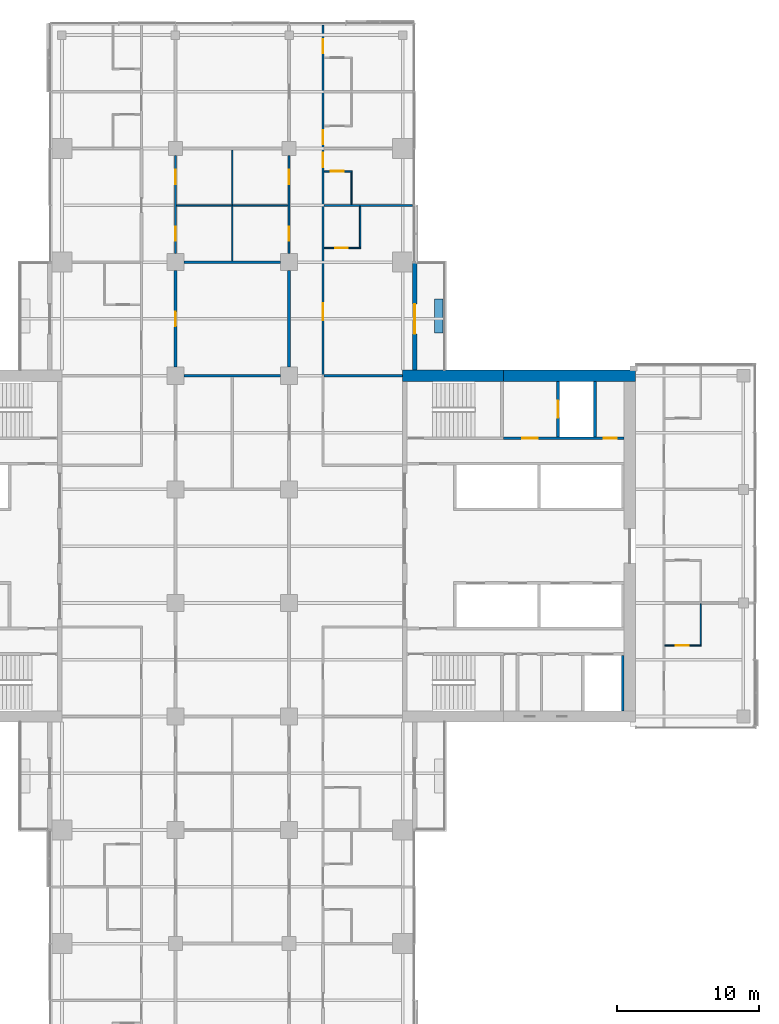
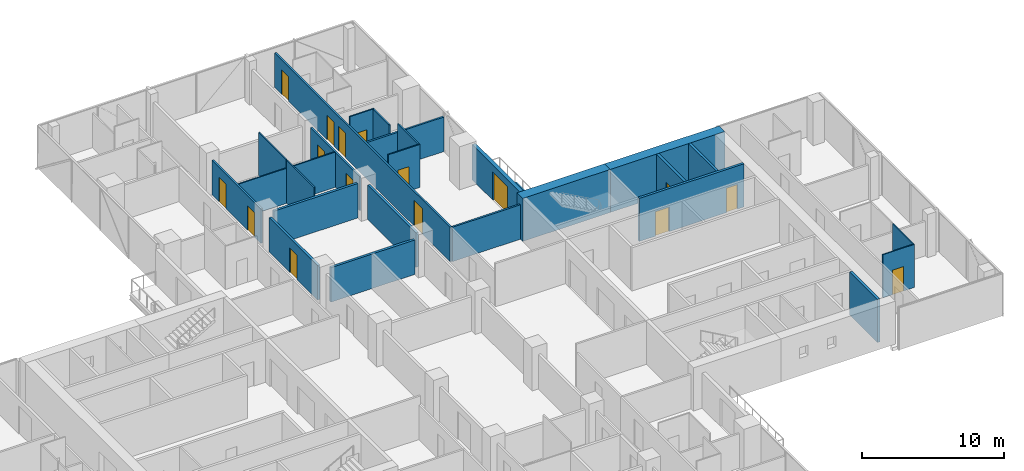
# One storey, part 20 of 27: 26 walls, 16 doors, 16 openings.
"""IFC4 building model written with IfcOpenShell, lengths in metres."""

from ifc_helpers import new_model, si_unit, direction, frame, frame_2d, origin, place, context, subcontext, project, spatial, rectangle, extrude, material, layer, layer_set, constituent, constituent_set, type_object, element, fill, save


model = new_model("IFC4")

# Units and contexts
model_context = context("Model", 3, precision=1e-05, world=origin(), true_north=direction((0.0, 1.0)))
body_context = subcontext(model_context, "Body", "Model", "MODEL_VIEW")
ifc_project = project(units=[si_unit("LENGTHUNIT", "METRE"), si_unit("AREAUNIT", "SQUARE_METRE"), si_unit("VOLUMEUNIT", "CUBIC_METRE"), si_unit("PLANEANGLEUNIT", "RADIAN"), si_unit("MASSUNIT", "GRAM", prefix="KILO")], contexts=[model_context])

# Site, building, storey
site_placement = place(None, origin())
site = spatial("IfcSite", under=ifc_project, at=site_placement, CompositionType="ELEMENT")
building_placement = place(site_placement, origin())
building = spatial("IfcBuilding", under=site, at=building_placement, Name="Crosswind Convention Tower", CompositionType="ELEMENT")
storey_placement = place(building_placement, frame((0.0, 0.0, 75.699951171875)))
storey = spatial("IfcBuildingStorey", under=building, at=storey_placement, Name="L13", CompositionType="ELEMENT", Elevation=75.699951171875)

# Wall, openings, doors
ifc_material_1 = material(Name="Plasterboard partition", Category="gypsum")
ifc_layer_1 = layer(ifc_material_1, 0.14990234375)
ifc_layer_set_1 = layer_set([ifc_layer_1], Name="CORRIDOR WALL 150")
wall_type_1 = type_object("IfcWallType", Name="CORRIDOR WALL 150", PredefinedType="PARTITIONING", material=ifc_layer_set_1)
wall_1_placement = place(storey_placement, frame((121.0, 120.60009765625, 0.0), z_axis=(0.0, 0.0, 1.0), x_axis=(0.0, 1.0, 0.0)))
wall_1 = element("IfcWall", 1, at=wall_1_placement, inside=storey, type_object=wall_type_1, Name="Corridor Wall 87", PredefinedType="PARTITIONING", context=body_context, shape_type="SweptSolid", body=[
    extrude(rectangle(XDim=6.89990234375, YDim=0.14990234375, at=frame_2d((3.449951171875, 0.0))), origin(), (0.0, 0.0, 1.0), 2.9599609375),
])
opening_1_placement = place(wall_1_placement, frame((0.89990234375, 0.0, 0.0)))
opening_1 = element("IfcOpeningElement", 2, at=opening_1_placement, cuts=wall_1, Name="Opening 13.059", PredefinedType="OPENING", context=body_context, shape_type="SweptSolid", body=[
    extrude(rectangle(XDim=1.0, YDim=2.10009765625, at=frame_2d((0.5, 1.050048828125))), frame((0.0, 0.0849609375, 0.0), z_axis=(0.0, -1.0, 0.0), x_axis=(1.0, 0.0, 0.0)), (0.0, 0.0, 1.0), 0.169921875),
])
opening_2_placement = place(wall_1_placement, frame((4.89990234375, 0.0, 0.0)))
opening_2 = element("IfcOpeningElement", 3, at=opening_2_placement, cuts=wall_1, Name="Opening 13.060", PredefinedType="OPENING", context=body_context, shape_type="SweptSolid", body=[
    extrude(rectangle(XDim=1.0, YDim=2.10009765625, at=frame_2d((0.5, 1.050048828125))), frame((0.0, 0.0849609375, 0.0), z_axis=(0.0, -1.0, 0.0), x_axis=(1.0, 0.0, 0.0)), (0.0, 0.0, 1.0), 0.169921875),
])
ifc_material_2 = material(Name="Timber fire door", Category="wood")
door_type_1 = type_object("IfcDoorType", Name="SERVICE ROOM DOOR 1000X2100", OperationType="NOTDEFINED", PredefinedType="DOOR", material=ifc_material_2)
door_1_placement = place(opening_1_placement, frame((1.0, 0.0, 0.0), z_axis=(0.0, 0.0, 1.0), x_axis=(-1.0, 0.0, 0.0)))
door_1 = element("IfcDoor", 4, at=door_1_placement, inside=storey, type_object=door_type_1, Name="Door 13.059", ObjectType="D3", OperationType="SINGLE_SWING_RIGHT", OverallHeight=2.10009765625, OverallWidth=1.0, PredefinedType="DOOR", context=body_context, shape_type="SweptSolid", body=[
    extrude(rectangle(XDim=1.0, YDim=2.10009765625, at=frame_2d((0.5, 1.050048828125))), frame((0.0, 0.02490234375, 0.0), z_axis=(0.0, -1.0, 0.0), x_axis=(1.0, 0.0, 0.0)), (0.0, 0.0, 1.0), 0.050048828125),
])
fill(opening_1, door_1)
door_2_placement = place(opening_2_placement, frame((1.0, 0.0, 0.0), z_axis=(0.0, 0.0, 1.0), x_axis=(-1.0, 0.0, 0.0)))
door_2 = element("IfcDoor", 5, at=door_2_placement, inside=storey, type_object=door_type_1, Name="Door 13.060", ObjectType="D3", OperationType="SINGLE_SWING_LEFT", OverallHeight=2.10009765625, OverallWidth=1.0, PredefinedType="DOOR", context=body_context, shape_type="SweptSolid", body=[
    extrude(rectangle(XDim=1.0, YDim=2.10009765625, at=frame_2d((0.5, 1.050048828125))), frame((0.0, 0.02490234375, 0.0), z_axis=(0.0, -1.0, 0.0), x_axis=(1.0, 0.0, 0.0)), (0.0, 0.0, 1.0), 0.050048828125),
])
fill(opening_2, door_2)

wall_2_placement = place(storey_placement, frame((129.0, 120.60009765625, 0.0), z_axis=(0.0, 0.0, 1.0), x_axis=(0.0, 1.0, 0.0)))
wall_2 = element("IfcWall", 6, at=wall_2_placement, inside=storey, type_object=wall_type_1, Name="Corridor Wall 105", PredefinedType="PARTITIONING", context=body_context, shape_type="SweptSolid", body=[
    extrude(rectangle(XDim=6.89990234375, YDim=0.14990234375, at=frame_2d((3.449951171875, 0.0))), origin(), (0.0, 0.0, 1.0), 2.9599609375),
])
opening_3_placement = place(wall_2_placement, frame((0.89990234375, 0.0, 0.0)))
opening_3 = element("IfcOpeningElement", 7, at=opening_3_placement, cuts=wall_2, Name="Opening 13.061", PredefinedType="OPENING", context=body_context, shape_type="SweptSolid", body=[
    extrude(rectangle(XDim=1.0, YDim=2.10009765625, at=frame_2d((0.5, 1.050048828125))), frame((0.0, 0.0849609375, 0.0), z_axis=(0.0, -1.0, 0.0), x_axis=(1.0, 0.0, 0.0)), (0.0, 0.0, 1.0), 0.169921875),
])
opening_4_placement = place(wall_2_placement, frame((4.89990234375, 0.0, 0.0)))
opening_4 = element("IfcOpeningElement", 8, at=opening_4_placement, cuts=wall_2, Name="Opening 13.062", PredefinedType="OPENING", context=body_context, shape_type="SweptSolid", body=[
    extrude(rectangle(XDim=1.0, YDim=2.10009765625, at=frame_2d((0.5, 1.050048828125))), frame((0.0, 0.0849609375, 0.0), z_axis=(0.0, -1.0, 0.0), x_axis=(1.0, 0.0, 0.0)), (0.0, 0.0, 1.0), 0.169921875),
])
door_3_placement = place(opening_3_placement, origin())
door_3 = element("IfcDoor", 9, at=door_3_placement, inside=storey, type_object=door_type_1, Name="Door 13.061", ObjectType="D3", OperationType="SINGLE_SWING_LEFT", OverallHeight=2.10009765625, OverallWidth=1.0, PredefinedType="DOOR", context=body_context, shape_type="SweptSolid", body=[
    extrude(rectangle(XDim=1.0, YDim=2.10009765625, at=frame_2d((0.5, 1.050048828125))), frame((0.0, 0.02490234375, 0.0), z_axis=(0.0, -1.0, 0.0), x_axis=(1.0, 0.0, 0.0)), (0.0, 0.0, 1.0), 0.050048828125),
])
fill(opening_3, door_3)
door_4_placement = place(opening_4_placement, origin())
door_4 = element("IfcDoor", 10, at=door_4_placement, inside=storey, type_object=door_type_1, Name="Door 13.062", ObjectType="D3", OperationType="SINGLE_SWING_RIGHT", OverallHeight=2.10009765625, OverallWidth=1.0, PredefinedType="DOOR", context=body_context, shape_type="SweptSolid", body=[
    extrude(rectangle(XDim=1.0, YDim=2.10009765625, at=frame_2d((0.5, 1.050048828125))), frame((0.0, 0.02490234375, 0.0), z_axis=(0.0, -1.0, 0.0), x_axis=(1.0, 0.0, 0.0)), (0.0, 0.0, 1.0), 0.050048828125),
])
fill(opening_4, door_4)

# Wall, opening, door
ifc_material_3 = material(Name="Concrete C50/60", Category="concrete")
ifc_layer_2 = layer(ifc_material_3, 0.199951171875)
ifc_layer_set_2 = layer_set([ifc_layer_2], Name="Concrete C50/60")
wall_type_2 = type_object("IfcWallType", Name="Concrete shaft and stair wall 200", PredefinedType="SHEAR", material=ifc_layer_set_2)
wall_3_placement = place(storey_placement, frame((147.949951171875, 107.699951171875, 0.0), z_axis=(0.0, 0.0, 1.0), x_axis=(0.0, 1.0, 0.0)))
wall_3 = element("IfcWall", 11, at=wall_3_placement, inside=storey, type_object=wall_type_2, Name="Wall PFLW E L13", PredefinedType="SHEAR", context=body_context, shape_type="SweptSolid", body=[
    extrude(rectangle(XDim=3.900146484375, YDim=0.199951171875, at=frame_2d((1.9501953125, 0.0))), origin(), (0.0, 0.0, 1.0), 3.699951171875),
])
opening_5_placement = place(wall_3_placement, frame((1.35009765625, 0.0, 0.0)))
opening_5 = element("IfcOpeningElement", 12, at=opening_5_placement, cuts=wall_3, Name="Opening LD1", PredefinedType="OPENING", context=body_context, shape_type="SweptSolid", body=[
    extrude(rectangle(XDim=1.199951171875, YDim=2.10009765625, at=frame_2d((0.60009765625, 1.050048828125))), frame((0.0, 0.10986328125, 0.0), z_axis=(0.0, -1.0, 0.0), x_axis=(1.0, 0.0, 0.0)), (0.0, 0.0, 1.0), 0.219970703125),
])
ifc_material_4 = material(Name="Stainless steel", Category="steel")
door_type_2 = type_object("IfcDoorType", Name="Lift landing door 1200x2100", OperationType="DOUBLE_DOOR_SLIDING", PredefinedType="DOOR", material=ifc_material_4)
door_5_placement = place(opening_5_placement, origin())
door_5 = element("IfcDoor", 13, at=door_5_placement, inside=storey, type_object=door_type_2, Name="Landing door FF1 L13", ObjectType="LD1", OperationType="DOUBLE_DOOR_SLIDING", OverallHeight=2.10009765625, OverallWidth=1.199951171875, PredefinedType="DOOR", context=body_context, shape_type="SweptSolid", body=[
    extrude(rectangle(XDim=1.199951171875, YDim=2.10009765625, at=frame_2d((0.60009765625, 1.050048828125))), frame((0.0, 0.02490234375, 0.0), z_axis=(0.0, -1.0, 0.0), x_axis=(1.0, 0.0, 0.0)), (0.0, 0.0, 1.0), 0.050048828125),
])
fill(opening_5, door_5)

# Wall
wall_4_placement = place(storey_placement, frame((150.550048828125, 107.699951171875, 0.0), z_axis=(0.0, 0.0, 1.0), x_axis=(0.0, 1.0, 0.0)))
element("IfcWall", 14, at=wall_4_placement, inside=storey, type_object=wall_type_2, Name="Wall PFSE E L13", PredefinedType="SHEAR", context=body_context, shape_type="SweptSolid", body=[
    extrude(rectangle(XDim=3.900146484375, YDim=0.199951171875, at=frame_2d((1.9501953125, 0.0))), origin(), (0.0, 0.0, 1.0), 3.699951171875),
])

# Wall, openings, doors
wall_5_placement = place(storey_placement, frame((144.10009765625, 107.60009765625, 0.0), z_axis=(0.0, 0.0, 1.0), x_axis=(1.0, 0.0, 0.0)))
wall_5 = element("IfcWall", 15, at=wall_5_placement, inside=storey, type_object=wall_type_2, Name="Wall PCX E L13", PredefinedType="SHEAR", context=body_context, shape_type="SweptSolid", body=[
    extrude(rectangle(XDim=8.5, YDim=0.199951171875, at=frame_2d((4.25, 0.0))), origin(), (0.0, 0.0, 1.0), 3.699951171875),
])
opening_6_placement = place(wall_5_placement, frame((1.324951171875, 0.0, 0.0)))
opening_6 = element("IfcOpeningElement", 16, at=opening_6_placement, cuts=wall_5, Name="Opening D104", PredefinedType="OPENING", context=body_context, shape_type="SweptSolid", body=[
    extrude(rectangle(XDim=1.10009765625, YDim=2.10009765625, at=frame_2d((0.550048828125, 1.050048828125))), frame((0.0, 0.10986328125, 0.0), z_axis=(0.0, -1.0, 0.0), x_axis=(1.0, 0.0, 0.0)), (0.0, 0.0, 1.0), 0.219970703125),
])
opening_7_placement = place(wall_5_placement, frame((7.074951171875, 0.0, 0.0)))
opening_7 = element("IfcOpeningElement", 17, at=opening_7_placement, cuts=wall_5, Name="Opening D106", PredefinedType="OPENING", context=body_context, shape_type="SweptSolid", body=[
    extrude(rectangle(XDim=0.89990234375, YDim=2.10009765625, at=frame_2d((0.449951171875, 1.050048828125))), frame((0.0, 0.10986328125, 0.0), z_axis=(0.0, -1.0, 0.0), x_axis=(1.0, 0.0, 0.0)), (0.0, 0.0, 1.0), 0.219970703125),
])
ifc_material_5 = material(Name="Steel fire door", Category="steel")
door_type_3 = type_object("IfcDoorType", Name="Fire-rated single door 1100x2100", OperationType="NOTDEFINED", PredefinedType="DOOR", material=ifc_material_5)
door_6_placement = place(opening_6_placement, origin())
door_6 = element("IfcDoor", 18, at=door_6_placement, inside=storey, type_object=door_type_3, Name="Fire-fighting lobby FF1 door L13", ObjectType="D104", OperationType="SINGLE_SWING_RIGHT", OverallHeight=2.10009765625, OverallWidth=1.10009765625, PredefinedType="DOOR", context=body_context, shape_type="SweptSolid", body=[
    extrude(rectangle(XDim=1.10009765625, YDim=2.10009765625, at=frame_2d((0.550048828125, 1.050048828125))), frame((0.0, 0.02490234375, 0.0), z_axis=(0.0, -1.0, 0.0), x_axis=(1.0, 0.0, 0.0)), (0.0, 0.0, 1.0), 0.050048828125),
])
fill(opening_6, door_6)
ifc_material_6 = material(Name="Timber door", Category="wood")
door_type_4 = type_object("IfcDoorType", Name="Single leaf door 900x2100", OperationType="NOTDEFINED", PredefinedType="DOOR", material=ifc_material_6)
door_7_placement = place(opening_7_placement, origin())
door_7 = element("IfcDoor", 19, at=door_7_placement, inside=storey, type_object=door_type_4, Name="Door to comms room L13", ObjectType="D106", OperationType="SINGLE_SWING_RIGHT", OverallHeight=2.10009765625, OverallWidth=0.89990234375, PredefinedType="DOOR", context=body_context, shape_type="SweptSolid", body=[
    extrude(rectangle(XDim=0.89990234375, YDim=2.10009765625, at=frame_2d((0.449951171875, 1.050048828125))), frame((0.0, 0.02490234375, 0.0), z_axis=(0.0, -1.0, 0.0), x_axis=(1.0, 0.0, 0.0)), (0.0, 0.0, 1.0), 0.050048828125),
])
fill(opening_7, door_7)

# Walls
wall_6_placement = place(storey_placement, frame((152.5, 88.39990234375, 0.0), z_axis=(0.0, 0.0, 1.0), x_axis=(0.0, 1.0, 0.0)))
element("IfcWall", 20, at=wall_6_placement, inside=storey, type_object=wall_type_2, Name="Wall MFSE E L13", PredefinedType="SHEAR", context=body_context, shape_type="SweptSolid", body=[
    extrude(rectangle(XDim=3.900146484375, YDim=0.199951171875, at=frame_2d((1.9501953125, 0.0))), origin(), (0.0, 0.0, 1.0), 3.699951171875),
])
ifc_material_7 = material(Name="Acoustic plasterboard partition", Category="gypsum")
ifc_layer_3 = layer(ifc_material_7, 0.14990234375)
ifc_layer_set_3 = layer_set([ifc_layer_3], Name="GUEST ROOM WALL 150")
wall_type_3 = type_object("IfcWallType", Name="GUEST ROOM WALL 150", PredefinedType="PARTITIONING", material=ifc_layer_set_3)
wall_7_placement = place(storey_placement, frame((131.47509765625, 112.0, 0.0), z_axis=(0.0, 0.0, 1.0), x_axis=(1.0, 0.0, 0.0)))
element("IfcWall", 21, at=wall_7_placement, inside=storey, type_object=wall_type_3, Name="Guest Room Wall 44", PredefinedType="PARTITIONING", context=body_context, shape_type="SweptSolid", body=[
    extrude(rectangle(XDim=5.52490234375, YDim=0.14990234375, at=frame_2d((2.762451171875, 0.0))), origin(), (0.0, 0.0, 1.0), 2.95654296875),
])
wall_8_placement = place(storey_placement, frame((131.47509765625, 124.0, 0.0), z_axis=(0.0, 0.0, 1.0), x_axis=(1.0, 0.0, 0.0)))
element("IfcWall", 22, at=wall_8_placement, inside=storey, type_object=wall_type_3, Name="Guest Room Wall 50", PredefinedType="PARTITIONING", context=body_context, shape_type="SweptSolid", body=[
    extrude(rectangle(XDim=6.224853515625, YDim=0.14990234375, at=frame_2d((3.1123046875, 0.0))), origin(), (0.0, 0.0, 1.0), 2.962890625),
])

# Wall, openings, doors
wall_9_placement = place(storey_placement, frame((131.39990234375, 112.0, 0.0), z_axis=(0.0, 0.0, 1.0), x_axis=(0.0, 1.0, 0.0)))
wall_9 = element("IfcWall", 23, at=wall_9_placement, inside=storey, type_object=wall_type_3, Name="Guest Room Wall 112", PredefinedType="PARTITIONING", context=body_context, shape_type="SweptSolid", body=[
    extrude(rectangle(XDim=24.699951171875, YDim=0.14990234375, at=frame_2d((12.35009765625, 0.0))), origin(), (0.0, 0.0, 1.0), 2.95654296875),
])
opening_8_placement = place(wall_9_placement, frame((3.89990234375, 0.0, 0.0)))
opening_8 = element("IfcOpeningElement", 24, at=opening_8_placement, cuts=wall_9, Name="Opening 13.005", PredefinedType="OPENING", context=body_context, shape_type="SweptSolid", body=[
    extrude(rectangle(XDim=1.199951171875, YDim=2.199951171875, at=frame_2d((0.60009765625, 1.10009765625))), frame((0.0, 0.0849609375, 0.0), z_axis=(0.0, -1.0, 0.0), x_axis=(1.0, 0.0, 0.0)), (0.0, 0.0, 1.0), 0.169921875),
])
opening_9_placement = place(wall_9_placement, frame((14.699951171875, 0.0, 0.0)))
opening_9 = element("IfcOpeningElement", 25, at=opening_9_placement, cuts=wall_9, Name="Opening 13.007", PredefinedType="OPENING", context=body_context, shape_type="SweptSolid", body=[
    extrude(rectangle(XDim=1.0, YDim=2.10009765625, at=frame_2d((0.5, 1.050048828125))), frame((0.0, 0.0849609375, 0.0), z_axis=(0.0, -1.0, 0.0), x_axis=(1.0, 0.0, 0.0)), (0.0, 0.0, 1.0), 0.169921875),
])
opening_10_placement = place(wall_9_placement, frame((16.300048828125, 0.0, 0.0)))
opening_10 = element("IfcOpeningElement", 26, at=opening_10_placement, cuts=wall_9, Name="Opening 13.009", PredefinedType="OPENING", context=body_context, shape_type="SweptSolid", body=[
    extrude(rectangle(XDim=1.0, YDim=2.10009765625, at=frame_2d((0.5, 1.050048828125))), frame((0.0, 0.0849609375, 0.0), z_axis=(0.0, -1.0, 0.0), x_axis=(1.0, 0.0, 0.0)), (0.0, 0.0, 1.0), 0.169921875),
])
opening_11_placement = place(wall_9_placement, frame((22.699951171875, 0.0, 0.0)))
opening_11 = element("IfcOpeningElement", 27, at=opening_11_placement, cuts=wall_9, Name="Opening 13.011", PredefinedType="OPENING", context=body_context, shape_type="SweptSolid", body=[
    extrude(rectangle(XDim=1.0, YDim=2.10009765625, at=frame_2d((0.5, 1.050048828125))), frame((0.0, 0.0849609375, 0.0), z_axis=(0.0, -1.0, 0.0), x_axis=(1.0, 0.0, 0.0)), (0.0, 0.0, 1.0), 0.169921875),
])
door_type_5 = type_object("IfcDoorType", Name="GUEST ROOM DOOR 1000X2100", OperationType="NOTDEFINED", PredefinedType="DOOR", material=ifc_material_2)
door_8_placement = place(opening_9_placement, frame((1.0, 0.0, 0.0), z_axis=(0.0, 0.0, 1.0), x_axis=(-1.0, 0.0, 0.0)))
door_8 = element("IfcDoor", 28, at=door_8_placement, inside=storey, type_object=door_type_5, Name="Door 13.007", ObjectType="D1", OperationType="SINGLE_SWING_LEFT", OverallHeight=2.10009765625, OverallWidth=1.0, PredefinedType="DOOR", context=body_context, shape_type="SweptSolid", body=[
    extrude(rectangle(XDim=1.0, YDim=2.10009765625, at=frame_2d((0.5, 1.050048828125))), frame((0.0, 0.02490234375, 0.0), z_axis=(0.0, -1.0, 0.0), x_axis=(1.0, 0.0, 0.0)), (0.0, 0.0, 1.0), 0.050048828125),
])
fill(opening_9, door_8)
door_9_placement = place(opening_10_placement, frame((1.0, 0.0, 0.0), z_axis=(0.0, 0.0, 1.0), x_axis=(-1.0, 0.0, 0.0)))
door_9 = element("IfcDoor", 29, at=door_9_placement, inside=storey, type_object=door_type_5, Name="Door 13.009", ObjectType="D1", OperationType="SINGLE_SWING_LEFT", OverallHeight=2.10009765625, OverallWidth=1.0, PredefinedType="DOOR", context=body_context, shape_type="SweptSolid", body=[
    extrude(rectangle(XDim=1.0, YDim=2.10009765625, at=frame_2d((0.5, 1.050048828125))), frame((0.0, 0.02490234375, 0.0), z_axis=(0.0, -1.0, 0.0), x_axis=(1.0, 0.0, 0.0)), (0.0, 0.0, 1.0), 0.050048828125),
])
fill(opening_10, door_9)
door_10_placement = place(opening_11_placement, frame((1.0, 0.0, 0.0), z_axis=(0.0, 0.0, 1.0), x_axis=(-1.0, 0.0, 0.0)))
door_10 = element("IfcDoor", 30, at=door_10_placement, inside=storey, type_object=door_type_5, Name="Door 13.011", ObjectType="D1", OperationType="SINGLE_SWING_RIGHT", OverallHeight=2.10009765625, OverallWidth=1.0, PredefinedType="DOOR", context=body_context, shape_type="SweptSolid", body=[
    extrude(rectangle(XDim=1.0, YDim=2.10009765625, at=frame_2d((0.5, 1.050048828125))), frame((0.0, 0.02490234375, 0.0), z_axis=(0.0, -1.0, 0.0), x_axis=(1.0, 0.0, 0.0)), (0.0, 0.0, 1.0), 0.050048828125),
])
fill(opening_11, door_10)
door_type_6 = type_object("IfcDoorType", Name="SUITE DOOR 1200X2200", OperationType="DOUBLE_DOOR_SINGLE_SWING", PredefinedType="DOOR", material=ifc_material_2)
door_11_placement = place(opening_8_placement, frame((1.199951171875, 0.0, 0.0), z_axis=(0.0, 0.0, 1.0), x_axis=(-1.0, 0.0, 0.0)))
door_11 = element("IfcDoor", 31, at=door_11_placement, inside=storey, type_object=door_type_6, Name="Door 13.005", ObjectType="D14", OperationType="DOUBLE_DOOR_SINGLE_SWING", OverallHeight=2.199951171875, OverallWidth=1.199951171875, PredefinedType="DOOR", context=body_context, shape_type="SweptSolid", body=[
    extrude(rectangle(XDim=1.199951171875, YDim=2.199951171875, at=frame_2d((0.60009765625, 1.10009765625))), frame((0.0, 0.02490234375, 0.0), z_axis=(0.0, -1.0, 0.0), x_axis=(1.0, 0.0, 0.0)), (0.0, 0.0, 1.0), 0.050048828125),
])
fill(opening_8, door_11)

# Walls
ifc_material_8 = material(Name="Double plasterboard partition", Category="gypsum")
ifc_layer_4 = layer(ifc_material_8, 0.199951171875)
ifc_layer_set_4 = layer_set([ifc_layer_4], Name="HALL WALL 200")
wall_type_4 = type_object("IfcWallType", Name="HALL WALL 200", PredefinedType="PARTITIONING", material=ifc_layer_set_4)
for number, where, z_axis, x_axis, name in (
    (32, (121.60009765625, 112.0, 0.0), (0.0, 0.0, 1.0), (1.0, 0.0, 0.0), "Hall Wall 43"),
    (33, (121.60009765625, 120.0, 0.0), (0.0, 0.0, 1.0), (1.0, 0.0, 0.0), "Hall Wall 47"),
):
    element("IfcWall", number, at=place(storey_placement, frame(where, z_axis=z_axis, x_axis=x_axis)), inside=storey, type_object=wall_type_4, Name=name, PredefinedType="PARTITIONING", context=body_context, shape_type="SweptSolid", body=[
        extrude(rectangle(XDim=6.7998046875, YDim=0.199951171875, at=frame_2d((3.39990234375, 0.0))), origin(), (0.0, 0.0, 1.0), 2.9599609375),
    ])

# Wall, opening, door
wall_10_placement = place(storey_placement, frame((121.0, 112.60009765625, 0.0), z_axis=(0.0, 0.0, 1.0), x_axis=(0.0, 1.0, 0.0)))
wall_10 = element("IfcWall", 34, at=wall_10_placement, inside=storey, type_object=wall_type_4, Name="Hall Wall 86", PredefinedType="PARTITIONING", context=body_context, shape_type="SweptSolid", body=[
    extrude(rectangle(XDim=6.7998046875, YDim=0.199951171875, at=frame_2d((3.39990234375, 0.0))), origin(), (0.0, 0.0, 1.0), 2.9599609375),
])
opening_12_placement = place(wall_10_placement, frame((2.89990234375, 0.0, 0.0)))
opening_12 = element("IfcOpeningElement", 35, at=opening_12_placement, cuts=wall_10, Name="Opening 13.058", PredefinedType="OPENING", context=body_context, shape_type="SweptSolid", body=[
    extrude(rectangle(XDim=1.0, YDim=2.10009765625, at=frame_2d((0.5, 1.050048828125))), frame((0.0, 0.10986328125, 0.0), z_axis=(0.0, -1.0, 0.0), x_axis=(1.0, 0.0, 0.0)), (0.0, 0.0, 1.0), 0.219970703125),
])
door_type_7 = type_object("IfcDoorType", Name="MEETING ROOM DOOR 1000X2100", OperationType="NOTDEFINED", PredefinedType="DOOR", material=ifc_material_2)
door_12_placement = place(opening_12_placement, frame((1.0, 0.0, 0.0), z_axis=(0.0, 0.0, 1.0), x_axis=(-1.0, 0.0, 0.0)))
door_12 = element("IfcDoor", 36, at=door_12_placement, inside=storey, type_object=door_type_7, Name="Door 13.058", ObjectType="D13", OperationType="SINGLE_SWING_LEFT", OverallHeight=2.10009765625, OverallWidth=1.0, PredefinedType="DOOR", context=body_context, shape_type="SweptSolid", body=[
    extrude(rectangle(XDim=1.0, YDim=2.10009765625, at=frame_2d((0.5, 1.050048828125))), frame((0.0, 0.02490234375, 0.0), z_axis=(0.0, -1.0, 0.0), x_axis=(1.0, 0.0, 0.0)), (0.0, 0.0, 1.0), 0.050048828125),
])
fill(opening_12, door_12)

# Walls
wall_11_placement = place(storey_placement, frame((129.0, 112.60009765625, 0.0), z_axis=(0.0, 0.0, 1.0), x_axis=(0.0, 1.0, 0.0)))
element("IfcWall", 37, at=wall_11_placement, inside=storey, type_object=wall_type_4, Name="Hall Wall 104", PredefinedType="PARTITIONING", context=body_context, shape_type="SweptSolid", body=[
    extrude(rectangle(XDim=6.7998046875, YDim=0.199951171875, at=frame_2d((3.39990234375, 0.0))), origin(), (0.0, 0.0, 1.0), 2.9599609375),
])
ifc_layer_5 = layer(ifc_material_1, 0.10009765625)
ifc_layer_set_5 = layer_set([ifc_layer_5], Name="PARTITION 100")
wall_type_5 = type_object("IfcWallType", Name="PARTITION 100", PredefinedType="PARTITIONING", material=ifc_layer_set_5)
wall_12_placement = place(storey_placement, frame((121.074951171875, 124.0, 0.0), z_axis=(0.0, 0.0, 1.0), x_axis=(1.0, 0.0, 0.0)))
element("IfcWall", 38, at=wall_12_placement, inside=storey, type_object=wall_type_5, Name="Partition 49", PredefinedType="PARTITIONING", context=body_context, shape_type="SweptSolid", body=[
    extrude(rectangle(XDim=7.85009765625, YDim=0.10009765625, at=frame_2d((3.925048828125, 0.0))), origin(), (0.0, 0.0, 1.0), 3.013671875),
])
for number, where, z_axis, x_axis, name in (
    (39, (125.0, 120.10009765625, 0.0), (0.0, 0.0, 1.0), (0.0, 1.0, 0.0), "Partition 94"),
    (40, (125.0, 124.050048828125, 0.0), (0.0, 0.0, 1.0), (0.0, 1.0, 0.0), "Partition 95"),
):
    element("IfcWall", number, at=place(storey_placement, frame(where, z_axis=z_axis, x_axis=x_axis)), inside=storey, type_object=wall_type_5, Name=name, PredefinedType="PARTITIONING", context=body_context, shape_type="SweptSolid", body=[
        extrude(rectangle(XDim=3.849853515625, YDim=0.10009765625, at=frame_2d((1.9248046875, 0.0))), origin(), (0.0, 0.0, 1.0), 3.699951171875),
    ])
ifc_material_9 = material(Name="Concrete C30/37", Category="concrete")
ifc_layer_6 = layer(ifc_material_9, 0.60009765625)
ifc_layer_set_6 = layer_set([ifc_layer_6], Name="Concrete C30/37")
wall_type_6 = type_object("IfcWallType", Name="PLANTER BOX WALL 600", PredefinedType="SOLIDWALL", material=ifc_layer_set_6)
wall_13_placement = place(storey_placement, frame((139.550048828125, 115.0, 0.0), z_axis=(0.0, 0.0, 1.0), x_axis=(0.0, 1.0, 0.0)))
element("IfcWall", 41, at=wall_13_placement, inside=storey, type_object=wall_type_6, Name="PLANTER L13 N-E.1-1", PredefinedType="SOLIDWALL", context=body_context, shape_type="SweptSolid", body=[
    extrude(rectangle(XDim=2.39990234375, YDim=0.60009765625, at=frame_2d((1.199951171875, 0.0))), origin(), (0.0, 0.0, 1.0), 0.60009765625),
])

# Wall, opening, door
ifc_material_10 = material(Name="Terracotta rainscreen", Category="ceramic")
ifc_layer_7 = layer(ifc_material_10, 0.02001953125)
ifc_material_11 = material(Name="Mineral wool insulation", Category="insulation")
ifc_layer_8 = layer(ifc_material_11, 0.10009765625)
ifc_material_12 = material(Name="Concrete blockwork", Category="masonry")
ifc_layer_9 = layer(ifc_material_12, 0.179931640625)
ifc_layer_set_7 = layer_set([ifc_layer_7, ifc_layer_8, ifc_layer_9], Name="TERRACOTTA INFILL WALL 300")
wall_type_7 = type_object("IfcWallType", Name="TERRACOTTA INFILL WALL 300", PredefinedType="SOLIDWALL", material=ifc_layer_set_7)
wall_14_placement = place(storey_placement, frame((137.85009765625, 112.39990234375, 0.0), z_axis=(0.0, 0.0, 1.0), x_axis=(0.0, 1.0, 0.0)))
wall_14 = element("IfcWall", 42, at=wall_14_placement, inside=storey, type_object=wall_type_7, Name="Notch front wall L13 N-E.1-1", PredefinedType="SOLIDWALL", context=body_context, shape_type="SweptSolid", body=[
    extrude(rectangle(XDim=7.567626953125, YDim=0.300048828125, at=frame_2d((3.78369140625, 0.0))), origin(), (0.0, 0.0, 1.0), 3.013671875),
])
opening_13_placement = place(wall_14_placement, frame((2.550048828125, 0.0, 0.0)))
opening_13 = element("IfcOpeningElement", 43, at=opening_13_placement, cuts=wall_14, Name="Opening D141", PredefinedType="OPENING", context=body_context, shape_type="SweptSolid", body=[
    extrude(rectangle(XDim=2.10009765625, YDim=2.39990234375, at=frame_2d((1.050048828125, 1.199951171875))), frame((0.0, 0.159912109375, 0.0), z_axis=(0.0, -1.0, 0.0), x_axis=(1.0, 0.0, 0.0)), (0.0, 0.0, 1.0), 0.320068359375),
])
ifc_material_13 = material(Name="Aluminium glazed door", Category="aluminium")
door_type_8 = type_object("IfcDoorType", Name="BALCONY SLIDING DOOR 2100X2400", OperationType="SLIDING_TO_LEFT", PredefinedType="DOOR", material=ifc_material_13)
door_13_placement = place(opening_13_placement, frame((2.10009765625, 0.0, 0.0), z_axis=(0.0, 0.0, 1.0), x_axis=(-1.0, 0.0, 0.0)))
door_13 = element("IfcDoor", 44, at=door_13_placement, inside=storey, type_object=door_type_8, Name="D141 balcony door L13 N-E.1-1", ObjectType="D141", OperationType="SLIDING_TO_LEFT", OverallHeight=2.39990234375, OverallWidth=2.10009765625, PredefinedType="DOOR", context=body_context, shape_type="SweptSolid", body=[
    extrude(rectangle(XDim=2.10009765625, YDim=2.39990234375, at=frame_2d((1.050048828125, 1.199951171875))), frame((0.0, 0.02490234375, 0.0), z_axis=(0.0, -1.0, 0.0), x_axis=(1.0, 0.0, 0.0)), (0.0, 0.0, 1.0), 0.050048828125),
])
fill(opening_13, door_13)

# Walls
ifc_material_14 = material(Name="Concrete C60/75", Category="concrete")
ifc_constituent_1 = constituent(ifc_material_14, Name="Structure")
ifc_constituent_2 = constituent(ifc_material_10, Name="Facing")
ifc_constituent_set = constituent_set(constituents=[ifc_constituent_1, ifc_constituent_2], Name="Concrete C60/75, Terracotta rainscreen")
wall_type_8 = type_object("IfcWallType", Name="Terracotta rainscreen on concrete core wall 800", PredefinedType="SHEAR", material=ifc_constituent_set)
wall_15_placement = place(storey_placement, frame((137.0, 112.0, 0.0), z_axis=(0.0, 0.0, 1.0), x_axis=(1.0, 0.0, 0.0)))
element("IfcWall", 45, at=wall_15_placement, inside=storey, type_object=wall_type_8, Name="Wall N1 E L13", PredefinedType="SHEAR", context=body_context, shape_type="SweptSolid", body=[
    extrude(rectangle(XDim=7.10009765625, YDim=0.800048828125, at=frame_2d((3.550048828125, 0.0))), origin(), (0.0, 0.0, 1.0), 3.699951171875),
])
wall_16_placement = place(storey_placement, frame((144.10009765625, 112.0, 0.0), z_axis=(0.0, 0.0, 1.0), x_axis=(1.0, 0.0, 0.0)))
element("IfcWall", 46, at=wall_16_placement, inside=storey, type_object=wall_type_8, Name="Wall N2 E L13", PredefinedType="SHEAR", context=body_context, shape_type="SweptSolid", body=[
    extrude(rectangle(XDim=9.2998046875, YDim=0.800048828125, at=frame_2d((4.64990234375, 0.0))), origin(), (0.0, 0.0, 1.0), 3.699951171875),
])

# Wall, opening, door
ifc_material_15 = material(Name="Water-resistant plasterboard partition", Category="gypsum")
ifc_layer_10 = layer(ifc_material_15, 0.10009765625)
ifc_layer_set_8 = layer_set([ifc_layer_10], Name="WET ROOM PARTITION 100")
wall_type_9 = type_object("IfcWallType", Name="WET ROOM PARTITION 100", PredefinedType="PLUMBINGWALL", material=ifc_layer_set_8)
wall_17_placement = place(storey_placement, frame((155.47509765625, 93.0, 0.0), z_axis=(0.0, 0.0, 1.0), x_axis=(1.0, 0.0, 0.0)))
wall_17 = element("IfcWall", 47, at=wall_17_placement, inside=storey, type_object=wall_type_9, Name="Wet Room Partition 22", PredefinedType="PLUMBINGWALL", context=body_context, shape_type="SweptSolid", body=[
    extrude(rectangle(XDim=2.574951171875, YDim=0.10009765625, at=frame_2d((1.28759765625, 0.0))), origin(), (0.0, 0.0, 1.0), 3.699951171875),
])
opening_14_placement = place(wall_17_placement, frame((0.77490234375, 0.0, 0.0)))
opening_14 = element("IfcOpeningElement", 48, at=opening_14_placement, cuts=wall_17, Name="Opening 13.034", PredefinedType="OPENING", context=body_context, shape_type="SweptSolid", body=[
    extrude(rectangle(XDim=0.89990234375, YDim=2.10009765625, at=frame_2d((0.449951171875, 1.050048828125))), frame((0.0, 0.06005859375, 0.0), z_axis=(0.0, -1.0, 0.0), x_axis=(1.0, 0.0, 0.0)), (0.0, 0.0, 1.0), 0.1201171875),
])
door_type_9 = type_object("IfcDoorType", Name="EN-SUITE DOOR 900X2100", OperationType="NOTDEFINED", PredefinedType="DOOR", material=ifc_material_6)
door_14_placement = place(opening_14_placement, origin())
door_14 = element("IfcDoor", 49, at=door_14_placement, inside=storey, type_object=door_type_9, Name="Door 13.034", ObjectType="D2", OperationType="SINGLE_SWING_RIGHT", OverallHeight=2.10009765625, OverallWidth=0.89990234375, PredefinedType="DOOR", context=body_context, shape_type="SweptSolid", body=[
    extrude(rectangle(XDim=0.89990234375, YDim=2.10009765625, at=frame_2d((0.449951171875, 1.050048828125))), frame((0.0, 0.02490234375, 0.0), z_axis=(0.0, -1.0, 0.0), x_axis=(1.0, 0.0, 0.0)), (0.0, 0.0, 1.0), 0.050048828125),
])
fill(opening_14, door_14)

wall_18_placement = place(storey_placement, frame((131.47509765625, 121.0, 0.0), z_axis=(0.0, 0.0, 1.0), x_axis=(1.0, 0.0, 0.0)))
wall_18 = element("IfcWall", 50, at=wall_18_placement, inside=storey, type_object=wall_type_9, Name="Wet Room Partition 48", PredefinedType="PLUMBINGWALL", context=body_context, shape_type="SweptSolid", body=[
    extrude(rectangle(XDim=2.574951171875, YDim=0.10009765625, at=frame_2d((1.28759765625, 0.0))), origin(), (0.0, 0.0, 1.0), 3.699951171875),
])
opening_15_placement = place(wall_18_placement, frame((0.77490234375, 0.0, 0.0)))
opening_15 = element("IfcOpeningElement", 51, at=opening_15_placement, cuts=wall_18, Name="Opening 13.006", PredefinedType="OPENING", context=body_context, shape_type="SweptSolid", body=[
    extrude(rectangle(XDim=0.89990234375, YDim=2.10009765625, at=frame_2d((0.449951171875, 1.050048828125))), frame((0.0, 0.06005859375, 0.0), z_axis=(0.0, -1.0, 0.0), x_axis=(1.0, 0.0, 0.0)), (0.0, 0.0, 1.0), 0.1201171875),
])
door_15_placement = place(opening_15_placement, origin())
door_15 = element("IfcDoor", 52, at=door_15_placement, inside=storey, type_object=door_type_9, Name="Door 13.006", ObjectType="D2", OperationType="SINGLE_SWING_RIGHT", OverallHeight=2.10009765625, OverallWidth=0.89990234375, PredefinedType="DOOR", context=body_context, shape_type="SweptSolid", body=[
    extrude(rectangle(XDim=0.89990234375, YDim=2.10009765625, at=frame_2d((0.449951171875, 1.050048828125))), frame((0.0, 0.02490234375, 0.0), z_axis=(0.0, -1.0, 0.0), x_axis=(1.0, 0.0, 0.0)), (0.0, 0.0, 1.0), 0.050048828125),
])
fill(opening_15, door_15)

wall_19_placement = place(storey_placement, frame((131.47509765625, 126.39990234375, 0.0), z_axis=(0.0, 0.0, 1.0), x_axis=(1.0, 0.0, 0.0)))
wall_19 = element("IfcWall", 53, at=wall_19_placement, inside=storey, type_object=wall_type_9, Name="Wet Room Partition 51", PredefinedType="PLUMBINGWALL", context=body_context, shape_type="SweptSolid", body=[
    extrude(rectangle(XDim=1.974853515625, YDim=0.10009765625, at=frame_2d((0.9873046875, 0.0))), origin(), (0.0, 0.0, 1.0), 3.699951171875),
])
opening_16_placement = place(wall_19_placement, frame((0.47509765625, 0.0, 0.0)))
opening_16 = element("IfcOpeningElement", 54, at=opening_16_placement, cuts=wall_19, Name="Opening 13.008", PredefinedType="OPENING", context=body_context, shape_type="SweptSolid", body=[
    extrude(rectangle(XDim=0.89990234375, YDim=2.10009765625, at=frame_2d((0.449951171875, 1.050048828125))), frame((0.0, 0.06005859375, 0.0), z_axis=(0.0, -1.0, 0.0), x_axis=(1.0, 0.0, 0.0)), (0.0, 0.0, 1.0), 0.1201171875),
])
door_16_placement = place(opening_16_placement, frame((0.89990234375, 0.0, 0.0), z_axis=(0.0, 0.0, 1.0), x_axis=(-1.0, 0.0, 0.0)))
door_16 = element("IfcDoor", 55, at=door_16_placement, inside=storey, type_object=door_type_9, Name="Door 13.008", ObjectType="D2", OperationType="SINGLE_SWING_LEFT", OverallHeight=2.10009765625, OverallWidth=0.89990234375, PredefinedType="DOOR", context=body_context, shape_type="SweptSolid", body=[
    extrude(rectangle(XDim=0.89990234375, YDim=2.10009765625, at=frame_2d((0.449951171875, 1.050048828125))), frame((0.0, 0.02490234375, 0.0), z_axis=(0.0, -1.0, 0.0), x_axis=(1.0, 0.0, 0.0)), (0.0, 0.0, 1.0), 0.050048828125),
])
fill(opening_16, door_16)

# Walls
wall_20_placement = place(storey_placement, frame((133.39990234375, 124.074951171875, 0.0), z_axis=(0.0, 0.0, 1.0), x_axis=(0.0, 1.0, 0.0)))
element("IfcWall", 56, at=wall_20_placement, inside=storey, type_object=wall_type_9, Name="Wet Room Partition 115", PredefinedType="PLUMBINGWALL", context=body_context, shape_type="SweptSolid", body=[
    extrude(rectangle(XDim=2.275146484375, YDim=0.10009765625, at=frame_2d((1.1376953125, 0.0))), origin(), (0.0, 0.0, 1.0), 3.699951171875),
])
for number, where, z_axis, x_axis, name in (
    (57, (134.0, 121.050048828125, 0.0), (0.0, 0.0, 1.0), (0.0, 1.0, 0.0), "Wet Room Partition 119"),
    (58, (158.0, 93.050048828125, 0.0), (0.0, 0.0, 1.0), (0.0, 1.0, 0.0), "Wet Room Partition 121"),
):
    element("IfcWall", number, at=place(storey_placement, frame(where, z_axis=z_axis, x_axis=x_axis)), inside=storey, type_object=wall_type_9, Name=name, PredefinedType="PLUMBINGWALL", context=body_context, shape_type="SweptSolid", body=[
        extrude(rectangle(XDim=2.875, YDim=0.10009765625, at=frame_2d((1.4375, 0.0))), origin(), (0.0, 0.0, 1.0), 3.699951171875),
    ])

save(model, "model.ifc")
